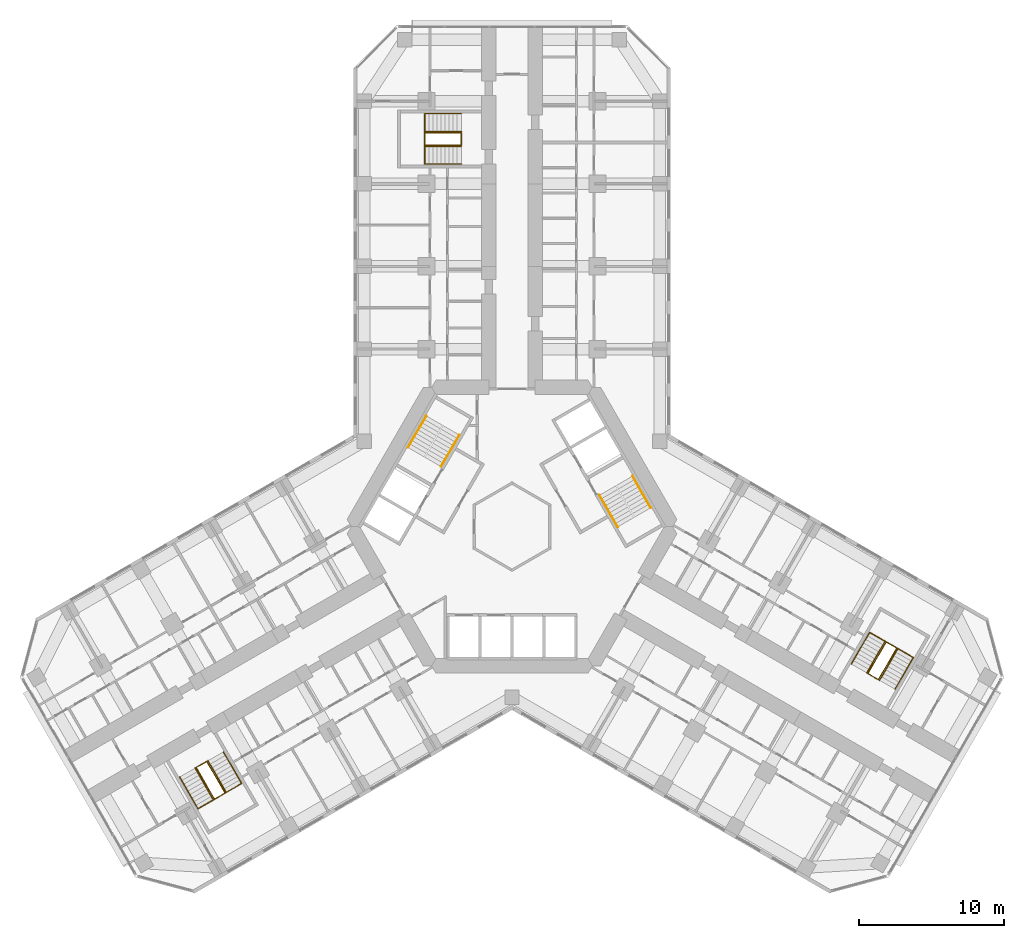
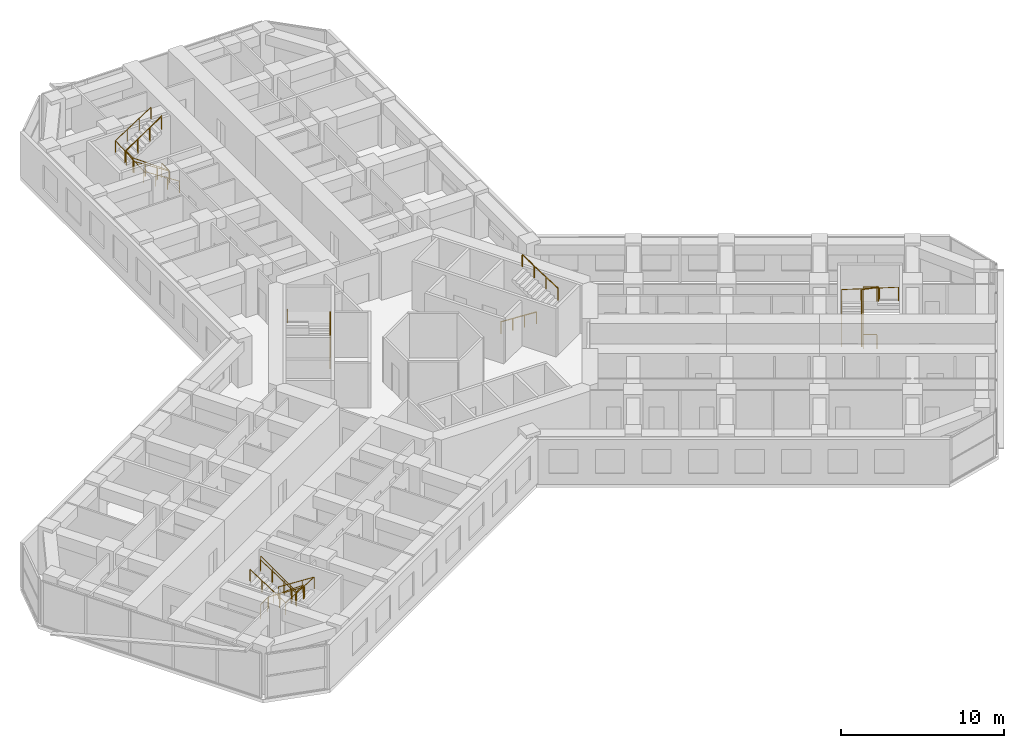
# One storey, part 21 of 21: 13 railings.
"""IFC4 building model written with IfcOpenShell, lengths in metres."""

from ifc_helpers import new_model, si_unit, direction, frame, origin, origin_2d, place, context, subcontext, project, spatial, circle, extrude, material, type_object, element, save


model = new_model("IFC4")

# Units and contexts
model_context = context("Model", 3, precision=1e-05, world=origin(), true_north=direction((0.0, 1.0)))
body_context = subcontext(model_context, "Body", "Model", "MODEL_VIEW")
ifc_project = project(units=[si_unit("LENGTHUNIT", "METRE"), si_unit("AREAUNIT", "SQUARE_METRE"), si_unit("VOLUMEUNIT", "CUBIC_METRE"), si_unit("PLANEANGLEUNIT", "RADIAN"), si_unit("MASSUNIT", "GRAM", prefix="KILO")], contexts=[model_context])

# Site, building, storey
site_placement = place(None, origin())
site = spatial("IfcSite", under=ifc_project, at=site_placement, CompositionType="ELEMENT")
building_placement = place(site_placement, origin())
building = spatial("IfcBuilding", under=site, at=building_placement, Name="Kosmar Iwan School Tower", CompositionType="ELEMENT")
storey_placement = place(building_placement, frame((0.0, 0.0, 68.199951171875)))
storey = spatial("IfcBuildingStorey", under=building, at=storey_placement, Name="L16", CompositionType="ELEMENT", Elevation=68.199951171875)

# Railings
ifc_material_1 = material(Name="Black steel", Category="steel")
railing_type_1 = type_object("IfcRailingType", Name="Stair handrail 900", PredefinedType="HANDRAIL", material=ifc_material_1)
railing_1_placement = place(storey_placement, frame((-4.89453125, 4.142333984375, 0.179931640625)))
element("IfcRailing", 1, at=railing_1_placement, inside=storey, type_object=railing_type_1, Name="Handrail ST2 flight 1", PredefinedType="HANDRAIL", context=body_context, shape_type="SweptSolid", body=[
    extrude(circle(Radius=0.02392578125, at=origin_2d()), frame((0.0, 0.0, 0.8759765625), z_axis=(0.420584145978, 0.728463801763, 0.540785970299), x_axis=(-0.866022637375, 0.500004791531, 0.0)), (0.0, 0.0, 1.0), 2.995849609375),
    extrude(circle(Radius=0.02099609375, at=origin_2d()), origin(), (0.0, 0.0, 1.0), 0.851806640625),
    extrude(circle(Radius=0.02099609375, at=origin_2d()), frame((0.419921875, 0.7275390625, 0.5400390625)), (0.0, 0.0, 1.0), 0.851806640625),
    extrude(circle(Radius=0.02099609375, at=origin_2d()), frame((0.840087890625, 1.454833984375, 1.080078125)), (0.0, 0.0, 1.0), 0.851806640625),
    extrude(circle(Radius=0.02099609375, at=origin_2d()), frame((1.260009765625, 2.182373046875, 1.6201171875)), (0.0, 0.0, 1.0), 0.851806640625),
])
railing_2_placement = place(storey_placement, frame((-5.912353515625, 7.6396484375, 1.97998046875)))
element("IfcRailing", 2, at=railing_2_placement, inside=storey, type_object=railing_type_1, Name="Handrail ST2 flight 2", PredefinedType="HANDRAIL", context=body_context, shape_type="SweptSolid", body=[
    extrude(circle(Radius=0.02392578125, at=origin_2d()), frame((0.0, 0.0, 0.8759765625), z_axis=(-0.420584145978, -0.728463801763, 0.540785970299), x_axis=(0.866022637375, -0.500004791531, 0.0)), (0.0, 0.0, 1.0), 2.995849609375),
    extrude(circle(Radius=0.02099609375, at=origin_2d()), origin(), (0.0, 0.0, 1.0), 0.851806640625),
    extrude(circle(Radius=0.02099609375, at=origin_2d()), frame((-0.419921875, -0.7275390625, 0.5400390625)), (0.0, 0.0, 1.0), 0.851806640625),
    extrude(circle(Radius=0.02099609375, at=origin_2d()), frame((-0.840087890625, -1.454833984375, 1.080078125)), (0.0, 0.0, 1.0), 0.851806640625),
    extrude(circle(Radius=0.02099609375, at=origin_2d()), frame((-1.260009765625, -2.182373046875, 1.6201171875)), (0.0, 0.0, 1.0), 0.851806640625),
])
railing_3_placement = place(storey_placement, frame((6.03466796875, 2.167724609375, 0.179931640625)))
element("IfcRailing", 3, at=railing_3_placement, inside=storey, type_object=railing_type_1, Name="Handrail ST1 flight 1", PredefinedType="HANDRAIL", context=body_context, shape_type="SweptSolid", body=[
    extrude(circle(Radius=0.02392578125, at=origin_2d()), frame((0.0, 0.0, 0.8759765625), z_axis=(0.420584145978, -0.728463801763, 0.540785970299), x_axis=(0.866022637375, 0.500004791531, 0.0)), (0.0, 0.0, 1.0), 2.995849609375),
    extrude(circle(Radius=0.02099609375, at=origin_2d()), origin(), (0.0, 0.0, 1.0), 0.851806640625),
    extrude(circle(Radius=0.02099609375, at=origin_2d()), frame((0.419921875, -0.7275390625, 0.5400390625)), (0.0, 0.0, 1.0), 0.851806640625),
    extrude(circle(Radius=0.02099609375, at=origin_2d()), frame((0.840087890625, -1.454833984375, 1.080078125)), (0.0, 0.0, 1.0), 0.851806640625),
    extrude(circle(Radius=0.02099609375, at=origin_2d()), frame((1.260009765625, -2.182373046875, 1.6201171875)), (0.0, 0.0, 1.0), 0.851806640625),
])
railing_4_placement = place(storey_placement, frame((9.572265625, 1.30029296875, 1.97998046875)))
element("IfcRailing", 4, at=railing_4_placement, inside=storey, type_object=railing_type_1, Name="Handrail ST1 flight 2", PredefinedType="HANDRAIL", context=body_context, shape_type="SweptSolid", body=[
    extrude(circle(Radius=0.02392578125, at=origin_2d()), frame((0.0, 0.0, 0.8759765625), z_axis=(-0.420584145978, 0.728463801763, 0.540785970299), x_axis=(-0.866022637375, -0.500004791531, 0.0)), (0.0, 0.0, 1.0), 2.995849609375),
    extrude(circle(Radius=0.02099609375, at=origin_2d()), origin(), (0.0, 0.0, 1.0), 0.851806640625),
    extrude(circle(Radius=0.02099609375, at=origin_2d()), frame((-0.419921875, 0.7275390625, 0.5400390625)), (0.0, 0.0, 1.0), 0.851806640625),
    extrude(circle(Radius=0.02099609375, at=origin_2d()), frame((-0.840087890625, 1.454833984375, 1.080078125)), (0.0, 0.0, 1.0), 0.851806640625),
    extrude(circle(Radius=0.02099609375, at=origin_2d()), frame((-1.260009765625, 2.182373046875, 1.6201171875)), (0.0, 0.0, 1.0), 0.851806640625),
])
railing_5_placement = place(storey_placement, frame((-3.5, 25.010009765625, 0.179931640625)))
element("IfcRailing", 5, at=railing_5_placement, inside=storey, type_object=railing_type_1, Name="Handrail stair WS1 L16 wall side", PredefinedType="HANDRAIL", context=body_context, shape_type="SweptSolid", body=[
    extrude(circle(Radius=0.02392578125, at=origin_2d()), frame((0.0, 0.0, 0.8759765625), z_axis=(-0.841162588446, 0.0, 0.540782303519), x_axis=(0.0, -1.0, 0.0)), (0.0, 0.0, 1.0), 2.995849609375),
    extrude(circle(Radius=0.02392578125, at=origin_2d()), frame((-2.52001953125, 0.0, 2.49609375), z_axis=(0.0, 0.998665981786, 0.051635809497), x_axis=(-1.0, 0.0, 0.0)), (0.0, 0.0, 1.0), 3.484619140625),
    extrude(circle(Radius=0.02392578125, at=origin_2d()), frame((-2.52001953125, 3.47998046875, 2.67578125), z_axis=(0.841162588446, 0.0, 0.540782303519), x_axis=(0.0, 1.0, 0.0)), (0.0, 0.0, 1.0), 2.995849609375),
    extrude(circle(Radius=0.02099609375, at=origin_2d()), origin(), (0.0, 0.0, 1.0), 0.851806640625),
    extrude(circle(Radius=0.02099609375, at=origin_2d()), frame((-0.840087890625, 0.0, 0.5400390625)), (0.0, 0.0, 1.0), 0.851806640625),
    extrude(circle(Radius=0.02099609375, at=origin_2d()), frame((-1.679931640625, 0.0, 1.080078125)), (0.0, 0.0, 1.0), 0.851806640625),
    extrude(circle(Radius=0.02099609375, at=origin_2d()), frame((-2.52001953125, 0.0, 1.6201171875)), (0.0, 0.0, 1.0), 0.851806640625),
    extrude(circle(Radius=0.02099609375, at=origin_2d()), frame((-2.52001953125, 1.159912109375, 1.68017578125)), (0.0, 0.0, 1.0), 0.851806640625),
    extrude(circle(Radius=0.02099609375, at=origin_2d()), frame((-2.52001953125, 2.320068359375, 1.739990234375)), (0.0, 0.0, 1.0), 0.851806640625),
    extrude(circle(Radius=0.02099609375, at=origin_2d()), frame((-2.52001953125, 3.47998046875, 1.800048828125)), (0.0, 0.0, 1.0), 0.851806640625),
    extrude(circle(Radius=0.02099609375, at=origin_2d()), frame((-1.679931640625, 3.47998046875, 2.340087890625)), (0.0, 0.0, 1.0), 0.851806640625),
    extrude(circle(Radius=0.02099609375, at=origin_2d()), frame((-0.840087890625, 3.47998046875, 2.880126953125)), (0.0, 0.0, 1.0), 0.851806640625),
    extrude(circle(Radius=0.02099609375, at=origin_2d()), frame((0.0, 3.47998046875, 3.420166015625)), (0.0, 0.0, 1.0), 0.851806640625),
])
railing_6_placement = place(storey_placement, frame((-3.5, 26.239990234375, 0.179931640625)))
element("IfcRailing", 6, at=railing_6_placement, inside=storey, type_object=railing_type_1, Name="Handrail stair WS1 L16 well side", PredefinedType="HANDRAIL", context=body_context, shape_type="SweptSolid", body=[
    extrude(circle(Radius=0.02392578125, at=origin_2d()), frame((0.0, 0.0, 0.8759765625), z_axis=(-0.841162588446, 0.0, 0.540782303519), x_axis=(0.0, -1.0, 0.0)), (0.0, 0.0, 1.0), 2.995849609375),
    extrude(circle(Radius=0.02392578125, at=origin_2d()), frame((-2.52001953125, 0.0, 2.49609375), z_axis=(0.0, 0.984795421109, 0.173718100851), x_axis=(-1.0, 0.0, 0.0)), (0.0, 0.0, 1.0), 1.035888671875),
    extrude(circle(Radius=0.02392578125, at=origin_2d()), frame((-2.52001953125, 1.02001953125, 2.67578125), z_axis=(0.841162588446, 0.0, 0.540782303519), x_axis=(0.0, 1.0, 0.0)), (0.0, 0.0, 1.0), 2.995849609375),
    extrude(circle(Radius=0.02099609375, at=origin_2d()), origin(), (0.0, 0.0, 1.0), 0.851806640625),
    extrude(circle(Radius=0.02099609375, at=origin_2d()), frame((-0.840087890625, 0.0, 0.5400390625)), (0.0, 0.0, 1.0), 0.851806640625),
    extrude(circle(Radius=0.02099609375, at=origin_2d()), frame((-1.679931640625, 0.0, 1.080078125)), (0.0, 0.0, 1.0), 0.851806640625),
    extrude(circle(Radius=0.02099609375, at=origin_2d()), frame((-2.52001953125, 0.0, 1.6201171875)), (0.0, 0.0, 1.0), 0.851806640625),
    extrude(circle(Radius=0.02099609375, at=origin_2d()), frame((-2.52001953125, 1.02001953125, 1.800048828125)), (0.0, 0.0, 1.0), 0.851806640625),
    extrude(circle(Radius=0.02099609375, at=origin_2d()), frame((-1.679931640625, 1.02001953125, 2.340087890625)), (0.0, 0.0, 1.0), 0.851806640625),
    extrude(circle(Radius=0.02099609375, at=origin_2d()), frame((-0.840087890625, 1.02001953125, 2.880126953125)), (0.0, 0.0, 1.0), 0.851806640625),
    extrude(circle(Radius=0.02099609375, at=origin_2d()), frame((0.0, 1.02001953125, 3.420166015625)), (0.0, 0.0, 1.0), 0.851806640625),
])
railing_7_placement = place(storey_placement, frame((-19.9091796875, -15.5361328125, 0.179931640625)))
element("IfcRailing", 7, at=railing_7_placement, inside=storey, type_object=railing_type_1, Name="Handrail stair WS2 L16 wall side", PredefinedType="HANDRAIL", context=body_context, shape_type="SweptSolid", body=[
    extrude(circle(Radius=0.02392578125, at=origin_2d()), frame((0.0, 0.0, 0.8759765625), z_axis=(0.420517065106, -0.728488768407, 0.540804504659), x_axis=(0.866064587494, 0.499932125682, 0.0)), (0.0, 0.0, 1.0), 2.995849609375),
    extrude(circle(Radius=0.02392578125, at=origin_2d()), frame((1.259765625, -2.182373046875, 2.49609375), z_axis=(-0.864864352349, -0.499342858003, 0.051636829851), x_axis=(0.500009906705, -0.86601968407, 0.0)), (0.0, 0.0, 1.0), 3.484619140625),
    extrude(circle(Radius=0.02392578125, at=origin_2d()), frame((-1.75390625, -3.92236328125, 2.67578125), z_axis=(-0.420584145978, 0.728463801763, 0.540785970299), x_axis=(-0.866022637375, -0.500004791531, 0.0)), (0.0, 0.0, 1.0), 2.995849609375),
    extrude(circle(Radius=0.02099609375, at=origin_2d()), origin(), (0.0, 0.0, 1.0), 0.851806640625),
    extrude(circle(Radius=0.02099609375, at=origin_2d()), frame((0.419921875, -0.7275390625, 0.5400390625)), (0.0, 0.0, 1.0), 0.851806640625),
    extrude(circle(Radius=0.02099609375, at=origin_2d()), frame((0.83984375, -1.454833984375, 1.080078125)), (0.0, 0.0, 1.0), 0.851806640625),
    extrude(circle(Radius=0.02099609375, at=origin_2d()), frame((1.259765625, -2.182373046875, 1.6201171875)), (0.0, 0.0, 1.0), 0.851806640625),
    extrude(circle(Radius=0.02099609375, at=origin_2d()), frame((0.255126953125, -2.762451171875, 1.68017578125)), (0.0, 0.0, 1.0), 0.851806640625),
    extrude(circle(Radius=0.02099609375, at=origin_2d()), frame((-0.749267578125, -3.34228515625, 1.739990234375)), (0.0, 0.0, 1.0), 0.851806640625),
    extrude(circle(Radius=0.02099609375, at=origin_2d()), frame((-1.75390625, -3.92236328125, 1.800048828125)), (0.0, 0.0, 1.0), 0.851806640625),
    extrude(circle(Radius=0.02099609375, at=origin_2d()), frame((-2.173828125, -3.19482421875, 2.340087890625)), (0.0, 0.0, 1.0), 0.851806640625),
    extrude(circle(Radius=0.02099609375, at=origin_2d()), frame((-2.593994140625, -2.467529296875, 2.880126953125)), (0.0, 0.0, 1.0), 0.851806640625),
    extrude(circle(Radius=0.02099609375, at=origin_2d()), frame((-3.013916015625, -1.739990234375, 3.420166015625)), (0.0, 0.0, 1.0), 0.851806640625),
])
railing_8_placement = place(storey_placement, frame((-20.974609375, -16.151123046875, 0.179931640625)))
element("IfcRailing", 8, at=railing_8_placement, inside=storey, type_object=railing_type_1, Name="Handrail stair WS2 L16 well side", PredefinedType="HANDRAIL", context=body_context, shape_type="SweptSolid", body=[
    extrude(circle(Radius=0.02392578125, at=origin_2d()), frame((0.0, 0.0, 0.8759765625), z_axis=(0.420584145978, -0.728463801763, 0.540785970299), x_axis=(0.866022637375, 0.500004791531, 0.0)), (0.0, 0.0, 1.0), 2.995849609375),
    extrude(circle(Radius=0.02392578125, at=origin_2d()), frame((1.260009765625, -2.182373046875, 2.49609375), z_axis=(-0.852841519511, -0.492422867401, 0.173726976197), x_axis=(0.500026340207, -0.866010195725, 0.0)), (0.0, 0.0, 1.0), 1.03564453125),
    extrude(circle(Radius=0.02392578125, at=origin_2d()), frame((0.376708984375, -2.6923828125, 2.67578125), z_axis=(-0.420584145978, 0.728463801763, 0.540785970299), x_axis=(-0.866022637375, -0.500004791531, 0.0)), (0.0, 0.0, 1.0), 2.995849609375),
    extrude(circle(Radius=0.02099609375, at=origin_2d()), origin(), (0.0, 0.0, 1.0), 0.851806640625),
    extrude(circle(Radius=0.02099609375, at=origin_2d()), frame((0.419921875, -0.7275390625, 0.5400390625)), (0.0, 0.0, 1.0), 0.851806640625),
    extrude(circle(Radius=0.02099609375, at=origin_2d()), frame((0.840087890625, -1.454833984375, 1.080078125)), (0.0, 0.0, 1.0), 0.851806640625),
    extrude(circle(Radius=0.02099609375, at=origin_2d()), frame((1.260009765625, -2.182373046875, 1.6201171875)), (0.0, 0.0, 1.0), 0.851806640625),
    extrude(circle(Radius=0.02099609375, at=origin_2d()), frame((0.376708984375, -2.6923828125, 1.800048828125)), (0.0, 0.0, 1.0), 0.851806640625),
    extrude(circle(Radius=0.02099609375, at=origin_2d()), frame((-0.043212890625, -1.96484375, 2.340087890625)), (0.0, 0.0, 1.0), 0.851806640625),
    extrude(circle(Radius=0.02099609375, at=origin_2d()), frame((-0.46337890625, -1.237548828125, 2.880126953125)), (0.0, 0.0, 1.0), 0.851806640625),
    extrude(circle(Radius=0.02099609375, at=origin_2d()), frame((-0.88330078125, -0.510009765625, 3.420166015625)), (0.0, 0.0, 1.0), 0.851806640625),
])
railing_9_placement = place(storey_placement, frame((23.4091796875, -9.473876953125, 0.179931640625)))
element("IfcRailing", 9, at=railing_9_placement, inside=storey, type_object=railing_type_1, Name="Handrail stair WS3 L16 wall side", PredefinedType="HANDRAIL", context=body_context, shape_type="SweptSolid", body=[
    extrude(circle(Radius=0.02392578125, at=origin_2d()), frame((0.0, 0.0, 0.8759765625), z_axis=(0.420584145978, 0.728463801763, 0.540785970299), x_axis=(-0.866022637375, 0.500004791531, 0.0)), (0.0, 0.0, 1.0), 2.995849609375),
    extrude(circle(Radius=0.02392578125, at=origin_2d()), frame((1.260009765625, 2.182373046875, 2.49609375), z_axis=(0.864882007433, -0.499312601618, 0.051633701051), x_axis=(0.499979528911, 0.866037222451, 0.0)), (0.0, 0.0, 1.0), 3.48486328125),
    extrude(circle(Radius=0.02392578125, at=origin_2d()), frame((4.27392578125, 0.4423828125, 2.67578125), z_axis=(-0.420584145978, -0.728463801763, 0.540785970299), x_axis=(0.866022637375, -0.500004791531, 0.0)), (0.0, 0.0, 1.0), 2.995849609375),
    extrude(circle(Radius=0.02099609375, at=origin_2d()), origin(), (0.0, 0.0, 1.0), 0.851806640625),
    extrude(circle(Radius=0.02099609375, at=origin_2d()), frame((0.419921875, 0.7275390625, 0.5400390625)), (0.0, 0.0, 1.0), 0.851806640625),
    extrude(circle(Radius=0.02099609375, at=origin_2d()), frame((0.840087890625, 1.454833984375, 1.080078125)), (0.0, 0.0, 1.0), 0.851806640625),
    extrude(circle(Radius=0.02099609375, at=origin_2d()), frame((1.260009765625, 2.182373046875, 1.6201171875)), (0.0, 0.0, 1.0), 0.851806640625),
    extrude(circle(Radius=0.02099609375, at=origin_2d()), frame((2.2646484375, 1.602294921875, 1.68017578125)), (0.0, 0.0, 1.0), 0.851806640625),
    extrude(circle(Radius=0.02099609375, at=origin_2d()), frame((3.269287109375, 1.0224609375, 1.739990234375)), (0.0, 0.0, 1.0), 0.851806640625),
    extrude(circle(Radius=0.02099609375, at=origin_2d()), frame((4.27392578125, 0.4423828125, 1.800048828125)), (0.0, 0.0, 1.0), 0.851806640625),
    extrude(circle(Radius=0.02099609375, at=origin_2d()), frame((3.85400390625, -0.28515625, 2.340087890625)), (0.0, 0.0, 1.0), 0.851806640625),
    extrude(circle(Radius=0.02099609375, at=origin_2d()), frame((3.433837890625, -1.012451171875, 2.880126953125)), (0.0, 0.0, 1.0), 0.851806640625),
    extrude(circle(Radius=0.02099609375, at=origin_2d()), frame((3.013916015625, -1.739990234375, 3.420166015625)), (0.0, 0.0, 1.0), 0.851806640625),
])
railing_10_placement = place(storey_placement, frame((24.474609375, -10.0888671875, 0.179931640625)))
element("IfcRailing", 10, at=railing_10_placement, inside=storey, type_object=railing_type_1, Name="Handrail stair WS3 L16 well side", PredefinedType="HANDRAIL", context=body_context, shape_type="SweptSolid", body=[
    extrude(circle(Radius=0.02392578125, at=origin_2d()), frame((0.0, 0.0, 0.8759765625), z_axis=(0.420584145978, 0.728463801763, 0.540785970299), x_axis=(-0.866022637375, 0.500004791531, 0.0)), (0.0, 0.0, 1.0), 2.995849609375),
    extrude(circle(Radius=0.02392578125, at=origin_2d()), frame((1.260009765625, 2.182373046875, 2.49609375), z_axis=(0.852841519511, -0.492422867401, 0.173726976197), x_axis=(0.500026340207, 0.866010195725, 0.0)), (0.0, 0.0, 1.0), 1.03564453125),
    extrude(circle(Radius=0.02392578125, at=origin_2d()), frame((2.143310546875, 1.67236328125, 2.67578125), z_axis=(-0.420584145978, -0.728463801763, 0.540785970299), x_axis=(0.866022637375, -0.500004791531, 0.0)), (0.0, 0.0, 1.0), 2.995849609375),
    extrude(circle(Radius=0.02099609375, at=origin_2d()), origin(), (0.0, 0.0, 1.0), 0.851806640625),
    extrude(circle(Radius=0.02099609375, at=origin_2d()), frame((0.419921875, 0.7275390625, 0.5400390625)), (0.0, 0.0, 1.0), 0.851806640625),
    extrude(circle(Radius=0.02099609375, at=origin_2d()), frame((0.840087890625, 1.454833984375, 1.080078125)), (0.0, 0.0, 1.0), 0.851806640625),
    extrude(circle(Radius=0.02099609375, at=origin_2d()), frame((1.260009765625, 2.182373046875, 1.6201171875)), (0.0, 0.0, 1.0), 0.851806640625),
    extrude(circle(Radius=0.02099609375, at=origin_2d()), frame((2.143310546875, 1.67236328125, 1.800048828125)), (0.0, 0.0, 1.0), 0.851806640625),
    extrude(circle(Radius=0.02099609375, at=origin_2d()), frame((1.723388671875, 0.94482421875, 2.340087890625)), (0.0, 0.0, 1.0), 0.851806640625),
    extrude(circle(Radius=0.02099609375, at=origin_2d()), frame((1.30322265625, 0.217529296875, 2.880126953125)), (0.0, 0.0, 1.0), 0.851806640625),
    extrude(circle(Radius=0.02099609375, at=origin_2d()), frame((0.88330078125, -0.510009765625, 3.420166015625)), (0.0, 0.0, 1.0), 0.851806640625),
])
ifc_material_2 = material(Name="Black steel", Category="steel")
railing_type_2 = type_object("IfcRailingType", Name="Stair well guard 1100", PredefinedType="GUARDRAIL", material=ifc_material_2)
railing_11_placement = place(storey_placement, frame((-3.5, 27.169921875, 0.0)))
element("IfcRailing", 11, at=railing_11_placement, inside=storey, type_object=railing_type_2, Name="Stair WS1 L16 well guard", PredefinedType="GUARDRAIL", context=body_context, shape_type="SweptSolid", body=[
    extrude(circle(Radius=0.02392578125, at=origin_2d()), frame((0.0, 0.0, 1.076171875), z_axis=(0.0, -1.0, 0.0), x_axis=(1.0, 0.0, 0.0)), (0.0, 0.0, 1.0), 0.83984375),
    extrude(circle(Radius=0.02392578125, at=origin_2d()), frame((0.0, -0.83984375, 1.076171875), z_axis=(-0.813728144527, 0.0, 0.581245650998), x_axis=(0.0, -1.0, 0.0)), (0.0, 0.0, 1.0), 3.096923828125),
    extrude(circle(Radius=0.02392578125, at=origin_2d()), frame((-2.52001953125, -0.83984375, 2.8759765625), z_axis=(0.0, 1.0, 0.0), x_axis=(-1.0, 0.0, 0.0)), (0.0, 0.0, 1.0), 0.83984375),
    extrude(circle(Radius=0.02392578125, at=origin_2d()), frame((-2.52001953125, 0.0, 2.8759765625), z_axis=(0.813728144527, 0.0, 0.581245650998), x_axis=(0.0, 1.0, 0.0)), (0.0, 0.0, 1.0), 3.096923828125),
    extrude(circle(Radius=0.02099609375, at=origin_2d()), origin(), (0.0, 0.0, 1.0), 1.052001953125),
    extrude(circle(Radius=0.02099609375, at=origin_2d()), frame((0.0, -0.83984375, 0.0)), (0.0, 0.0, 1.0), 1.052001953125),
    extrude(circle(Radius=0.02099609375, at=origin_2d()), frame((-0.840087890625, -0.83984375, 0.60009765625)), (0.0, 0.0, 1.0), 1.052001953125),
    extrude(circle(Radius=0.02099609375, at=origin_2d()), frame((-1.679931640625, -0.83984375, 1.199951171875)), (0.0, 0.0, 1.0), 1.052001953125),
    extrude(circle(Radius=0.02099609375, at=origin_2d()), frame((-2.52001953125, -0.83984375, 1.800048828125)), (0.0, 0.0, 1.0), 1.052001953125),
    extrude(circle(Radius=0.02099609375, at=origin_2d()), frame((-2.52001953125, 0.0, 1.800048828125)), (0.0, 0.0, 1.0), 1.052001953125),
    extrude(circle(Radius=0.02099609375, at=origin_2d()), frame((-1.679931640625, 0.0, 2.400146484375)), (0.0, 0.0, 1.0), 1.052001953125),
    extrude(circle(Radius=0.02099609375, at=origin_2d()), frame((-0.840087890625, 0.0, 3.0)), (0.0, 0.0, 1.0), 1.052001953125),
    extrude(circle(Radius=0.02099609375, at=origin_2d()), frame((0.0, 0.0, 3.60009765625)), (0.0, 0.0, 1.0), 1.052001953125),
])
railing_12_placement = place(storey_placement, frame((-21.780029296875, -16.6162109375, 0.0)))
element("IfcRailing", 12, at=railing_12_placement, inside=storey, type_object=railing_type_2, Name="Stair WS2 L16 well guard", PredefinedType="GUARDRAIL", context=body_context, shape_type="SweptSolid", body=[
    extrude(circle(Radius=0.02392578125, at=origin_2d()), frame((0.0, 0.0, 1.076171875), z_axis=(0.865962960534, 0.500108139288, 0.0), x_axis=(-0.500108139288, 0.865962960534, 0.0)), (0.0, 0.0, 1.0), 0.840087890625),
    extrude(circle(Radius=0.02392578125, at=origin_2d()), frame((0.7275390625, 0.420166015625, 1.076171875), z_axis=(0.40686665399, -0.704704712268, 0.58124933925), x_axis=(0.866022637375, 0.500004791531, 0.0)), (0.0, 0.0, 1.0), 3.096923828125),
    extrude(circle(Radius=0.02392578125, at=origin_2d()), frame((1.987548828125, -1.76220703125, 2.8759765625), z_axis=(-0.865962960534, -0.500108139288, 0.0), x_axis=(0.500108139288, -0.865962960534, 0.0)), (0.0, 0.0, 1.0), 0.840087890625),
    extrude(circle(Radius=0.02392578125, at=origin_2d()), frame((1.260009765625, -2.182373046875, 2.8759765625), z_axis=(-0.40686665399, 0.704704712268, 0.58124933925), x_axis=(-0.866022637375, -0.500004791531, 0.0)), (0.0, 0.0, 1.0), 3.096923828125),
    extrude(circle(Radius=0.02099609375, at=origin_2d()), origin(), (0.0, 0.0, 1.0), 1.052001953125),
    extrude(circle(Radius=0.02099609375, at=origin_2d()), frame((0.7275390625, 0.420166015625, 0.0)), (0.0, 0.0, 1.0), 1.052001953125),
    extrude(circle(Radius=0.02099609375, at=origin_2d()), frame((1.1474609375, -0.307373046875, 0.60009765625)), (0.0, 0.0, 1.0), 1.052001953125),
    extrude(circle(Radius=0.02099609375, at=origin_2d()), frame((1.567626953125, -1.03466796875, 1.199951171875)), (0.0, 0.0, 1.0), 1.052001953125),
    extrude(circle(Radius=0.02099609375, at=origin_2d()), frame((1.987548828125, -1.76220703125, 1.800048828125)), (0.0, 0.0, 1.0), 1.052001953125),
    extrude(circle(Radius=0.02099609375, at=origin_2d()), frame((1.260009765625, -2.182373046875, 1.800048828125)), (0.0, 0.0, 1.0), 1.052001953125),
    extrude(circle(Radius=0.02099609375, at=origin_2d()), frame((0.840087890625, -1.454833984375, 2.400146484375)), (0.0, 0.0, 1.0), 1.052001953125),
    extrude(circle(Radius=0.02099609375, at=origin_2d()), frame((0.419921875, -0.7275390625, 3.0)), (0.0, 0.0, 1.0), 1.052001953125),
    extrude(circle(Radius=0.02099609375, at=origin_2d()), frame((0.0, 0.0, 3.60009765625)), (0.0, 0.0, 1.0), 1.052001953125),
])
railing_13_placement = place(storey_placement, frame((25.280029296875, -10.553955078125, 0.0)))
element("IfcRailing", 13, at=railing_13_placement, inside=storey, type_object=railing_type_2, Name="Stair WS3 L16 well guard", PredefinedType="GUARDRAIL", context=body_context, shape_type="SweptSolid", body=[
    extrude(circle(Radius=0.02392578125, at=origin_2d()), frame((0.0, 0.0, 1.076171875), z_axis=(-0.865962960534, 0.500108139288, 0.0), x_axis=(-0.500108139288, -0.865962960534, 0.0)), (0.0, 0.0, 1.0), 0.840087890625),
    extrude(circle(Radius=0.02392578125, at=origin_2d()), frame((-0.7275390625, 0.420166015625, 1.076171875), z_axis=(0.40686665399, 0.704704712268, 0.58124933925), x_axis=(-0.866022637375, 0.500004791531, 0.0)), (0.0, 0.0, 1.0), 3.096923828125),
    extrude(circle(Radius=0.02392578125, at=origin_2d()), frame((0.532470703125, 2.6025390625, 2.8759765625), z_axis=(0.865890253765, -0.500234013672, 0.0), x_axis=(0.500234013672, 0.865890253765, 0.0)), (0.0, 0.0, 1.0), 0.83984375),
    extrude(circle(Radius=0.02392578125, at=origin_2d()), frame((1.259765625, 2.182373046875, 2.8759765625), z_axis=(-0.406800866334, -0.70472731476, 0.58126798207), x_axis=(0.866064587494, -0.499932125682, 0.0)), (0.0, 0.0, 1.0), 3.0966796875),
    extrude(circle(Radius=0.02099609375, at=origin_2d()), origin(), (0.0, 0.0, 1.0), 1.052001953125),
    extrude(circle(Radius=0.02099609375, at=origin_2d()), frame((-0.7275390625, 0.420166015625, 0.0)), (0.0, 0.0, 1.0), 1.052001953125),
    extrude(circle(Radius=0.02099609375, at=origin_2d()), frame((-0.3076171875, 1.147705078125, 0.60009765625)), (0.0, 0.0, 1.0), 1.052001953125),
    extrude(circle(Radius=0.02099609375, at=origin_2d()), frame((0.112548828125, 1.875, 1.199951171875)), (0.0, 0.0, 1.0), 1.052001953125),
    extrude(circle(Radius=0.02099609375, at=origin_2d()), frame((0.532470703125, 2.6025390625, 1.800048828125)), (0.0, 0.0, 1.0), 1.052001953125),
    extrude(circle(Radius=0.02099609375, at=origin_2d()), frame((1.259765625, 2.182373046875, 1.800048828125)), (0.0, 0.0, 1.0), 1.052001953125),
    extrude(circle(Radius=0.02099609375, at=origin_2d()), frame((0.83984375, 1.454833984375, 2.400146484375)), (0.0, 0.0, 1.0), 1.052001953125),
    extrude(circle(Radius=0.02099609375, at=origin_2d()), frame((0.419921875, 0.7275390625, 3.0)), (0.0, 0.0, 1.0), 1.052001953125),
    extrude(circle(Radius=0.02099609375, at=origin_2d()), frame((0.0, 0.0, 3.60009765625)), (0.0, 0.0, 1.0), 1.052001953125),
])

save(model, "model.ifc")
